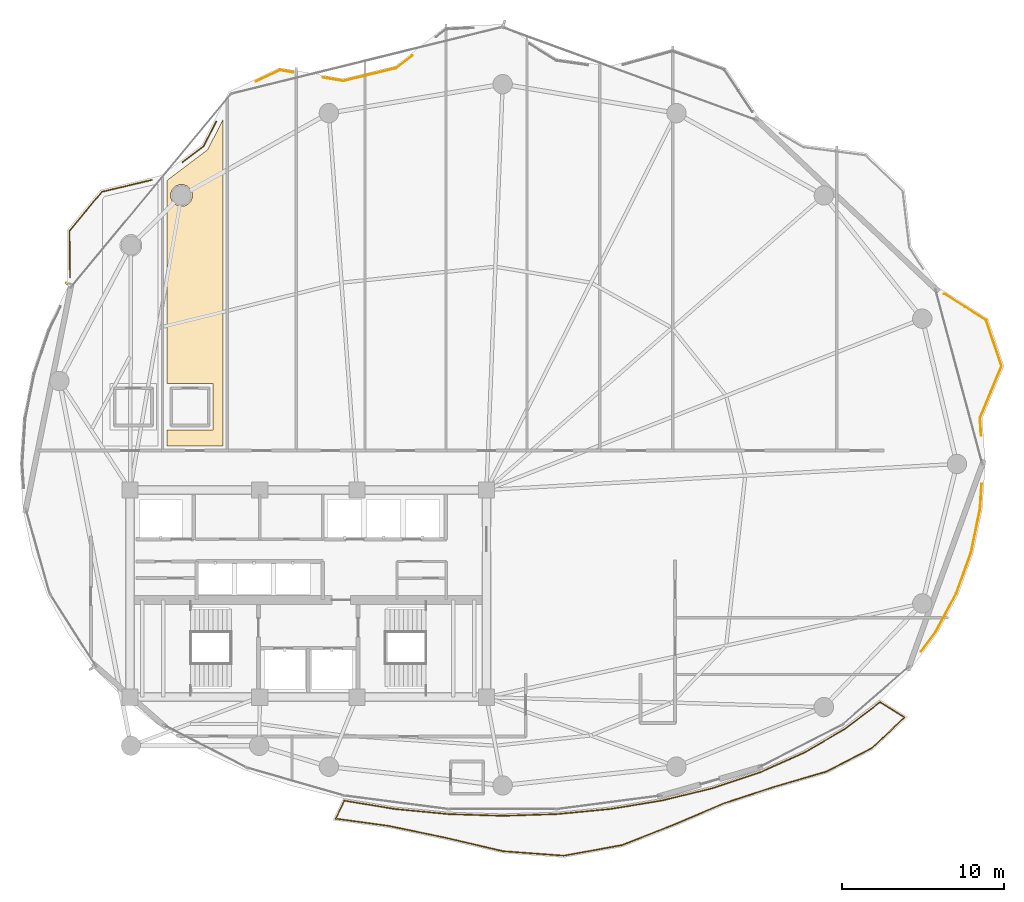
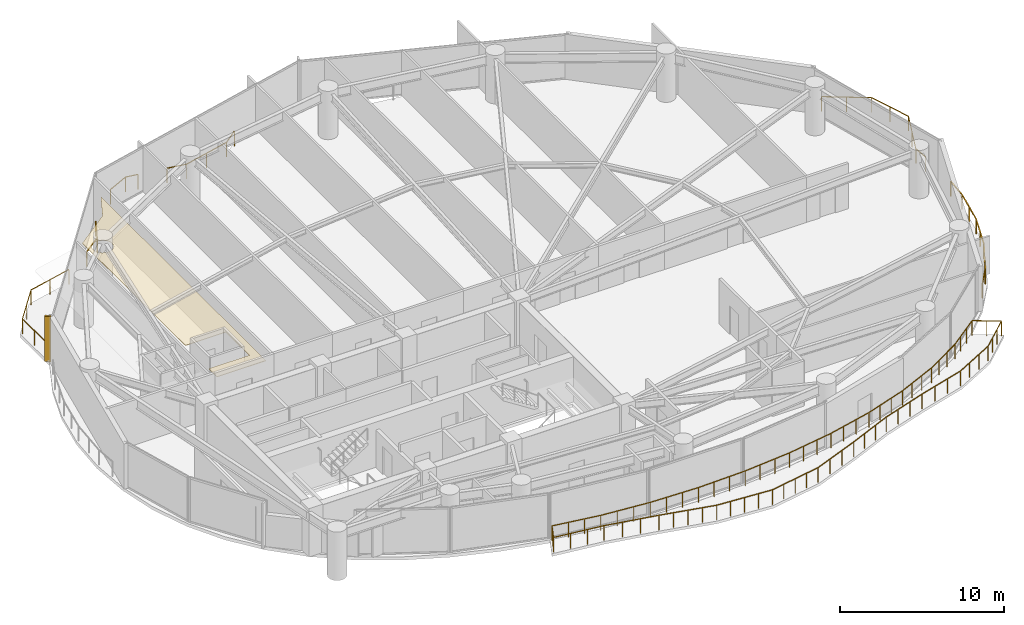
# One storey, part 27 of 28: 7 railings, 1 covering, 1 shading device.
"""IFC4 building model written with IfcOpenShell, lengths in metres."""

from ifc_helpers import new_model, si_unit, direction, frame, origin, origin_2d, place, context, subcontext, project, spatial, polyline, rectangle, outline, extrude, material, layer, layer_set, type_object, element, save


model = new_model("IFC4")

# Units and contexts
model_context = context("Model", 3, precision=1e-05, world=origin(), true_north=direction((0.0, 1.0)))
body_context = subcontext(model_context, "Body", "Model", "MODEL_VIEW")
ifc_project = project(units=[si_unit("LENGTHUNIT", "METRE"), si_unit("AREAUNIT", "SQUARE_METRE"), si_unit("VOLUMEUNIT", "CUBIC_METRE"), si_unit("PLANEANGLEUNIT", "RADIAN"), si_unit("MASSUNIT", "GRAM", prefix="KILO")], contexts=[model_context])

# Site, building, storey
site_placement = place(None, origin())
site = spatial("IfcSite", under=ifc_project, at=site_placement, CompositionType="ELEMENT")
building_placement = place(site_placement, origin())
building = spatial("IfcBuilding", under=site, at=building_placement, Name="Kazevale Care Tower and Concert Hall", CompositionType="ELEMENT")
storey_placement = place(building_placement, frame((0.0, 0.0, 109.800048828125)))
storey = spatial("IfcBuildingStorey", under=building, at=storey_placement, Name="L28", CompositionType="ELEMENT", Elevation=109.800048828125)

# Covering
ifc_material_1 = material(Name="Acoustic Plaster and Hinoki Wood", Category="wood")
ifc_layer = layer(ifc_material_1, 0.0400390625)
ifc_layer_set = layer_set([ifc_layer], Name="Acoustic Plaster and Hinoki Wood")
covering_type = type_object("IfcCoveringType", Name="Acoustic Perforated Wood-Gypsum Ceiling", PredefinedType="CEILING", material=ifc_layer_set)
covering_placement = place(storey_placement, frame((0.0, 0.0, 2.7099609375)))
element("IfcCovering", 1, at=covering_placement, inside=storey, type_object=covering_type, Name="clg:L28:2", PredefinedType="CEILING", context=body_context, shape_type="SweptSolid", body=[
    extrude(outline(polyline([(27.1298828125, 40.094970703125), (27.1298828125, 42.955078125), (24.280029296875, 42.955078125), (24.280029296875, 55.508056640625), (26.781005859375, 57.39892578125), (27.719970703125, 59.22607421875), (27.719970703125, 39.10498046875), (24.280029296875, 39.10498046875), (24.280029296875, 40.094970703125), (27.1298828125, 40.094970703125)]), holes=[polyline([(25.8369140625, 54.712890625), (25.735107421875, 54.9580078125), (25.548095703125, 55.14501953125), (25.302978515625, 55.2470703125), (25.037109375, 55.2470703125), (24.7919921875, 55.14501953125), (24.60498046875, 54.9580078125), (24.5029296875, 54.712890625), (24.5029296875, 54.447021484375), (24.60498046875, 54.201904296875), (24.7919921875, 54.014892578125), (25.037109375, 53.9130859375), (25.302978515625, 53.9130859375), (25.548095703125, 54.014892578125), (25.735107421875, 54.201904296875), (25.8369140625, 54.447021484375), (25.8369140625, 54.712890625)])]), origin(), (0.0, 0.0, 1.0), 0.0400390625),
])

# Railings
ifc_material_2 = material(Name="Anodised Bronze Aluminium and Laminated Glass", Category="aluminium")
railing_type = type_object("IfcRailingType", Name="Balcony and Terrace Balustrade 1120", PredefinedType="BALUSTRADE", material=ifc_material_2)
railing_1_placement = place(storey_placement, frame((18.284912109375, 49.514892578125, 0.0)))
element("IfcRailing", 2, at=railing_1_placement, inside=storey, type_object=railing_type, Name="rail:L28:perim:2", PredefinedType="BALUSTRADE", context=body_context, shape_type="SweptSolid", body=[
    extrude(rectangle(XDim=0.048095703125, YDim=0.048095703125, at=origin_2d()), frame((0.0, 0.0, 1.09619140625), z_axis=(-0.009663022595, 0.999953311907, 0.0), x_axis=(-0.999953311907, -0.009663022595, 0.0)), (0.0, 0.0, 1.0), 2.88037109375),
    extrude(rectangle(XDim=0.048095703125, YDim=0.048095703125, at=origin_2d()), frame((-0.02783203125, 2.880126953125, 1.09619140625), z_axis=(0.638670809668, 0.769480082184, 0.0), x_axis=(-0.769480082184, 0.638670809668, 0.0)), (0.0, 0.0, 1.0), 3.128173828125),
    extrude(rectangle(XDim=0.048095703125, YDim=0.048095703125, at=origin_2d()), frame((1.969970703125, 5.287109375, 1.09619140625), z_axis=(0.972887880692, 0.231277261318, 0.0), x_axis=(-0.231277261318, 0.972887880692, 0.0)), (0.0, 0.0, 1.0), 3.173095703125),
    extrude(rectangle(XDim=0.0419921875, YDim=0.0419921875, at=origin_2d()), origin(), (0.0, 0.0, 1.0), 1.072021484375),
    extrude(rectangle(XDim=0.0419921875, YDim=0.0419921875, at=origin_2d()), frame((-0.013916015625, 1.43994140625, 0.0)), (0.0, 0.0, 1.0), 1.072021484375),
    extrude(rectangle(XDim=0.0419921875, YDim=0.0419921875, at=origin_2d()), frame((-0.02783203125, 2.880126953125, 0.0)), (0.0, 0.0, 1.0), 1.072021484375),
    extrude(rectangle(XDim=0.0419921875, YDim=0.0419921875, at=origin_2d()), frame((0.97119140625, 4.08349609375, 0.0)), (0.0, 0.0, 1.0), 1.072021484375),
    extrude(rectangle(XDim=0.0419921875, YDim=0.0419921875, at=origin_2d()), frame((1.969970703125, 5.287109375, 0.0)), (0.0, 0.0, 1.0), 1.072021484375),
    extrude(rectangle(XDim=0.0419921875, YDim=0.0419921875, at=origin_2d()), frame((3.513671875, 5.654052734375, 0.0)), (0.0, 0.0, 1.0), 1.072021484375),
    extrude(rectangle(XDim=0.0419921875, YDim=0.0419921875, at=origin_2d()), frame((5.05712890625, 6.02099609375, 0.0)), (0.0, 0.0, 1.0), 1.072021484375),
])
railing_2_placement = place(storey_placement, frame((25.239013671875, 56.634033203125, 0.0)))
element("IfcRailing", 3, at=railing_2_placement, inside=storey, type_object=railing_type, Name="rail:L28:perim:3", PredefinedType="BALUSTRADE", context=body_context, shape_type="SweptSolid", body=[
    extrude(rectangle(XDim=0.048095703125, YDim=0.048095703125, at=origin_2d()), frame((0.0, 0.0, 1.09619140625), z_axis=(0.797677030582, 0.603084865406, 0.0), x_axis=(-0.603084865406, 0.797677030582, 0.0)), (0.0, 0.0, 1.0), 1.618408203125),
    extrude(rectangle(XDim=0.048095703125, YDim=0.048095703125, at=origin_2d()), frame((1.291015625, 0.97607421875, 1.09619140625), z_axis=(0.456653164706, 0.889644809553, 0.0), x_axis=(-0.889644809553, 0.456653164706, 0.0)), (0.0, 0.0, 1.0), 1.72314453125),
    extrude(rectangle(XDim=0.0419921875, YDim=0.0419921875, at=origin_2d()), origin(), (0.0, 0.0, 1.0), 1.072021484375),
    extrude(rectangle(XDim=0.0419921875, YDim=0.0419921875, at=origin_2d()), frame((1.291015625, 0.97607421875, 0.0)), (0.0, 0.0, 1.0), 1.072021484375),
    extrude(rectangle(XDim=0.0419921875, YDim=0.0419921875, at=origin_2d()), frame((2.077880859375, 2.509033203125, 0.0)), (0.0, 0.0, 1.0), 1.072021484375),
])
railing_3_placement = place(storey_placement, frame((29.77392578125, 61.62109375, 0.0)))
element("IfcRailing", 4, at=railing_3_placement, inside=storey, type_object=railing_type, Name="rail:L28:perim:4", PredefinedType="BALUSTRADE", context=body_context, shape_type="SweptSolid", body=[
    extrude(rectangle(XDim=0.048095703125, YDim=0.048095703125, at=origin_2d()), frame((0.0, 0.0, 1.09619140625), z_axis=(0.904089143641, 0.427343913436, 0.0), x_axis=(-0.427343913436, 0.904089143641, 0.0)), (0.0, 0.0, 1.0), 1.6259765625),
    extrude(rectangle(XDim=0.048095703125, YDim=0.048095703125, at=origin_2d()), frame((1.469970703125, 0.69482421875, 1.09619140625), z_axis=(0.985522864431, -0.169542571894, 0.0), x_axis=(0.169542571894, 0.985522864431, 0.0)), (0.0, 0.0, 1.0), 0.807861328125),
    extrude(rectangle(XDim=0.0419921875, YDim=0.0419921875, at=origin_2d()), origin(), (0.0, 0.0, 1.0), 1.072021484375),
    extrude(rectangle(XDim=0.0419921875, YDim=0.0419921875, at=origin_2d()), frame((1.469970703125, 0.69482421875, 0.0)), (0.0, 0.0, 1.0), 1.072021484375),
    extrude(rectangle(XDim=0.0419921875, YDim=0.0419921875, at=origin_2d()), frame((2.26611328125, 0.557861328125, 0.0)), (0.0, 0.0, 1.0), 1.072021484375),
])
railing_4_placement = place(storey_placement, frame((33.9130859375, 61.85791015625, 0.0)))
element("IfcRailing", 5, at=railing_4_placement, inside=storey, type_object=railing_type, Name="rail:L28:perim:5", PredefinedType="BALUSTRADE", context=body_context, shape_type="SweptSolid", body=[
    extrude(rectangle(XDim=0.048095703125, YDim=0.048095703125, at=origin_2d()), frame((0.0, 0.0, 1.09619140625), z_axis=(0.98554889076, -0.169391215599, 0.0), x_axis=(0.169391215599, 0.98554889076, 0.0)), (0.0, 0.0, 1.0), 1.268310546875),
    extrude(rectangle(XDim=0.048095703125, YDim=0.048095703125, at=origin_2d()), frame((1.25, -0.21484375, 1.09619140625), z_axis=(0.971597725557, 0.236638669056, 0.0), x_axis=(-0.236638669056, 0.971597725557, 0.0)), (0.0, 0.0, 1.0), 3.36328125),
    extrude(rectangle(XDim=0.048095703125, YDim=0.048095703125, at=origin_2d()), frame((4.517822265625, 0.5810546875, 1.09619140625), z_axis=(0.787242218243, 0.616643892224, 0.0), x_axis=(-0.616643892224, 0.787242218243, 0.0)), (0.0, 0.0, 1.0), 1.255126953125),
    extrude(rectangle(XDim=0.0419921875, YDim=0.0419921875, at=origin_2d()), origin(), (0.0, 0.0, 1.0), 1.072021484375),
    extrude(rectangle(XDim=0.0419921875, YDim=0.0419921875, at=origin_2d()), frame((1.25, -0.21484375, 0.0)), (0.0, 0.0, 1.0), 1.072021484375),
    extrude(rectangle(XDim=0.0419921875, YDim=0.0419921875, at=origin_2d()), frame((2.8837890625, 0.18310546875, 0.0)), (0.0, 0.0, 1.0), 1.072021484375),
    extrude(rectangle(XDim=0.0419921875, YDim=0.0419921875, at=origin_2d()), frame((4.517822265625, 0.5810546875, 0.0)), (0.0, 0.0, 1.0), 1.072021484375),
    extrude(rectangle(XDim=0.0419921875, YDim=0.0419921875, at=origin_2d()), frame((5.505859375, 1.35498046875, 0.0)), (0.0, 0.0, 1.0), 1.072021484375),
])
railing_5_placement = place(storey_placement, frame((74.576904296875, 36.76611328125, 0.0)))
element("IfcRailing", 6, at=railing_5_placement, inside=storey, type_object=railing_type, Name="rail:L28:perim:10", PredefinedType="BALUSTRADE", context=body_context, shape_type="SweptSolid", body=[
    extrude(rectangle(XDim=0.048095703125, YDim=0.048095703125, at=origin_2d()), frame((0.0, 0.0, 1.09619140625), z_axis=(-0.066164353261, -0.997808738365, 0.0), x_axis=(0.997808738365, -0.066164353261, 0.0)), (0.0, 0.0, 1.0), 1.553466796875),
    extrude(rectangle(XDim=0.048095703125, YDim=0.048095703125, at=origin_2d()), frame((-0.102783203125, -1.550048828125, 1.09619140625), z_axis=(-0.202611486218, -0.979259202485, 0.0), x_axis=(0.979259202485, -0.202611486218, 0.0)), (0.0, 0.0, 1.0), 2.744873046875),
    extrude(rectangle(XDim=0.048095703125, YDim=0.048095703125, at=origin_2d()), frame((-0.658935546875, -4.238037109375, 1.09619140625), z_axis=(-0.339653342944, -0.940550693279, 0.0), x_axis=(0.940550693279, -0.339653342944, 0.0)), (0.0, 0.0, 1.0), 2.70263671875),
    extrude(rectangle(XDim=0.048095703125, YDim=0.048095703125, at=origin_2d()), frame((-1.576904296875, -6.780029296875, 1.09619140625), z_axis=(-0.473735648305, -0.880667096879, 0.0), x_axis=(0.880667096879, -0.473735648305, 0.0)), (0.0, 0.0, 1.0), 2.6787109375),
    extrude(rectangle(XDim=0.048095703125, YDim=0.048095703125, at=origin_2d()), frame((-2.845947265625, -9.13916015625, 1.09619140625), z_axis=(-0.597990687273, -0.801503049236, 0.0), x_axis=(0.801503049236, -0.597990687273, 0.0)), (0.0, 0.0, 1.0), 1.498291015625),
    extrude(rectangle(XDim=0.0419921875, YDim=0.0419921875, at=origin_2d()), origin(), (0.0, 0.0, 1.0), 1.072021484375),
    extrude(rectangle(XDim=0.0419921875, YDim=0.0419921875, at=origin_2d()), frame((-0.102783203125, -1.550048828125, 0.0)), (0.0, 0.0, 1.0), 1.072021484375),
    extrude(rectangle(XDim=0.0419921875, YDim=0.0419921875, at=origin_2d()), frame((-0.380859375, -2.89404296875, 0.0)), (0.0, 0.0, 1.0), 1.072021484375),
    extrude(rectangle(XDim=0.0419921875, YDim=0.0419921875, at=origin_2d()), frame((-0.658935546875, -4.238037109375, 0.0)), (0.0, 0.0, 1.0), 1.072021484375),
    extrude(rectangle(XDim=0.0419921875, YDim=0.0419921875, at=origin_2d()), frame((-1.117919921875, -5.509033203125, 0.0)), (0.0, 0.0, 1.0), 1.072021484375),
    extrude(rectangle(XDim=0.0419921875, YDim=0.0419921875, at=origin_2d()), frame((-1.576904296875, -6.780029296875, 0.0)), (0.0, 0.0, 1.0), 1.072021484375),
    extrude(rectangle(XDim=0.0419921875, YDim=0.0419921875, at=origin_2d()), frame((-2.21142578125, -7.95947265625, 0.0)), (0.0, 0.0, 1.0), 1.072021484375),
    extrude(rectangle(XDim=0.0419921875, YDim=0.0419921875, at=origin_2d()), frame((-2.845947265625, -9.13916015625, 0.0)), (0.0, 0.0, 1.0), 1.072021484375),
    extrude(rectangle(XDim=0.0419921875, YDim=0.0419921875, at=origin_2d()), frame((-3.741943359375, -10.340087890625, 0.0)), (0.0, 0.0, 1.0), 1.072021484375),
])
railing_6_placement = place(storey_placement, frame((72.26904296875, 48.50390625, 0.0)))
element("IfcRailing", 7, at=railing_6_placement, inside=storey, type_object=railing_type, Name="rail:L28:perim:11", PredefinedType="BALUSTRADE", context=body_context, shape_type="SweptSolid", body=[
    extrude(rectangle(XDim=0.048095703125, YDim=0.048095703125, at=origin_2d()), frame((0.0, 0.0, 1.09619140625), z_axis=(0.845853460202, -0.533415338985, 0.0), x_axis=(0.533415338985, 0.845853460202, 0.0)), (0.0, 0.0, 1.0), 3.0537109375),
    extrude(rectangle(XDim=0.048095703125, YDim=0.048095703125, at=origin_2d()), frame((2.5830078125, -1.62890625, 1.09619140625), z_axis=(0.319318641442, -0.94764740554, 0.0), x_axis=(0.94764740554, 0.319318641442, 0.0)), (0.0, 0.0, 1.0), 2.984130859375),
    extrude(rectangle(XDim=0.048095703125, YDim=0.048095703125, at=origin_2d()), frame((3.535888671875, -4.456787109375, 1.09619140625), z_axis=(-0.384555415187, -0.923101908052, 0.0), x_axis=(0.923101908052, -0.384555415187, 0.0)), (0.0, 0.0, 1.0), 3.468994140625),
    extrude(rectangle(XDim=0.048095703125, YDim=0.048095703125, at=origin_2d()), frame((2.201904296875, -7.658935546875, 1.09619140625), z_axis=(0.06569131841, -0.997839992527, 0.0), x_axis=(0.997839992527, 0.06569131841, 0.0)), (0.0, 0.0, 1.0), 1.096435546875),
    extrude(rectangle(XDim=0.0419921875, YDim=0.0419921875, at=origin_2d()), origin(), (0.0, 0.0, 1.0), 1.072021484375),
    extrude(rectangle(XDim=0.0419921875, YDim=0.0419921875, at=origin_2d()), frame((1.29150390625, -0.814453125, 0.0)), (0.0, 0.0, 1.0), 1.072021484375),
    extrude(rectangle(XDim=0.0419921875, YDim=0.0419921875, at=origin_2d()), frame((2.5830078125, -1.62890625, 0.0)), (0.0, 0.0, 1.0), 1.072021484375),
    extrude(rectangle(XDim=0.0419921875, YDim=0.0419921875, at=origin_2d()), frame((3.0595703125, -3.04296875, 0.0)), (0.0, 0.0, 1.0), 1.072021484375),
    extrude(rectangle(XDim=0.0419921875, YDim=0.0419921875, at=origin_2d()), frame((3.535888671875, -4.456787109375, 0.0)), (0.0, 0.0, 1.0), 1.072021484375),
    extrude(rectangle(XDim=0.0419921875, YDim=0.0419921875, at=origin_2d()), frame((2.868896484375, -6.057861328125, 0.0)), (0.0, 0.0, 1.0), 1.072021484375),
    extrude(rectangle(XDim=0.0419921875, YDim=0.0419921875, at=origin_2d()), frame((2.201904296875, -7.658935546875, 0.0)), (0.0, 0.0, 1.0), 1.072021484375),
    extrude(rectangle(XDim=0.0419921875, YDim=0.0419921875, at=origin_2d()), frame((2.27392578125, -8.7529296875, 0.0)), (0.0, 0.0, 1.0), 1.072021484375),
])
railing_7_placement = place(storey_placement, frame((35.22509765625, 17.2099609375, 0.0)))
element("IfcRailing", 8, at=railing_7_placement, inside=storey, type_object=railing_type, Name="rail:L28:balcony", PredefinedType="BALUSTRADE", context=body_context, shape_type="SweptSolid", body=[
    extrude(rectangle(XDim=0.048095703125, YDim=0.048095703125, at=origin_2d()), frame((0.0, 0.0, 1.09619140625), z_axis=(0.986720826515, -0.162425399869, 0.0), x_axis=(0.162425399869, 0.986720826515, 0.0)), (0.0, 0.0, 1.0), 3.169921875),
    extrude(rectangle(XDim=0.048095703125, YDim=0.048095703125, at=origin_2d()), frame((3.1279296875, -0.514892578125, 1.09619140625), z_axis=(0.995477928413, -0.09499312629, 0.0), x_axis=(0.09499312629, 0.995477928413, 0.0)), (0.0, 0.0, 1.0), 3.31787109375),
    extrude(rectangle(XDim=0.048095703125, YDim=0.048095703125, at=origin_2d()), frame((6.430908203125, -0.830078125, 1.09619140625), z_axis=(0.999507580629, -0.031378276971, 0.0), x_axis=(0.031378276971, 0.999507580629, 0.0)), (0.0, 0.0, 1.0), 3.345703125),
    extrude(rectangle(XDim=0.048095703125, YDim=0.048095703125, at=origin_2d()), frame((9.77490234375, -0.93505859375, 1.09619140625), z_axis=(0.999507580629, 0.031378276971, 0.0), x_axis=(-0.031378276971, 0.999507580629, 0.0)), (0.0, 0.0, 1.0), 3.345703125),
    extrude(rectangle(XDim=0.048095703125, YDim=0.048095703125, at=origin_2d()), frame((13.118896484375, -0.830078125, 1.09619140625), z_axis=(0.995477928413, 0.09499312629, 0.0), x_axis=(-0.09499312629, 0.995477928413, 0.0)), (0.0, 0.0, 1.0), 3.31787109375),
    extrude(rectangle(XDim=0.048095703125, YDim=0.048095703125, at=origin_2d()), frame((16.421875, -0.514892578125, 1.09619140625), z_axis=(0.986673526711, 0.162712481659, 0.0), x_axis=(-0.162712481659, 0.986673526711, 0.0)), (0.0, 0.0, 1.0), 3.263427734375),
    extrude(rectangle(XDim=0.048095703125, YDim=0.048095703125, at=origin_2d()), frame((19.641845703125, 0.01611328125, 1.09619140625), z_axis=(0.971769261323, 0.235933259095, 0.0), x_axis=(-0.235933259095, 0.971769261323, 0.0)), (0.0, 0.0, 1.0), 3.187255859375),
    extrude(rectangle(XDim=0.048095703125, YDim=0.048095703125, at=origin_2d()), frame((22.739013671875, 0.76806640625, 1.09619140625), z_axis=(0.948264523365, 0.317481328155, 0.0), x_axis=(-0.317481328155, 0.948264523365, 0.0)), (0.0, 0.0, 1.0), 3.095947265625),
    extrude(rectangle(XDim=0.048095703125, YDim=0.048095703125, at=origin_2d()), frame((25.6748046875, 1.7509765625, 1.09619140625), z_axis=(0.913377633239, 0.407113373766, 0.0), x_axis=(-0.407113373766, 0.913377633239, 0.0)), (0.0, 0.0, 1.0), 2.99658203125),
    extrude(rectangle(XDim=0.048095703125, YDim=0.048095703125, at=origin_2d()), frame((28.411865234375, 2.970947265625, 1.09619140625), z_axis=(0.863507127078, 0.504336635082, 0.0), x_axis=(-0.504336635082, 0.863507127078, 0.0)), (0.0, 0.0, 1.0), 2.901123046875),
    extrude(rectangle(XDim=0.048095703125, YDim=0.048095703125, at=origin_2d()), frame((30.9169921875, 4.43408203125, 1.09619140625), z_axis=(0.795030778338, 0.606569090455, 0.0), x_axis=(-0.606569090455, 0.795030778338, 0.0)), (0.0, 0.0, 1.0), 2.726806640625),
    extrude(rectangle(XDim=0.048095703125, YDim=0.048095703125, at=origin_2d()), frame((33.0849609375, 6.088134765625, 1.09619140625), z_axis=(0.848160049179, -0.529740059819, 0.0), x_axis=(0.529740059819, 0.848160049179, 0.0)), (0.0, 0.0, 1.0), 1.7802734375),
    extrude(rectangle(XDim=0.048095703125, YDim=0.048095703125, at=origin_2d()), frame((34.594970703125, 5.14501953125, 1.09619140625), z_axis=(-0.729993328621, -0.683454270723, 0.0), x_axis=(0.683454270723, -0.729993328621, 0.0)), (0.0, 0.0, 1.0), 2.769775390625),
    extrude(rectangle(XDim=0.048095703125, YDim=0.048095703125, at=origin_2d()), frame((32.572998046875, 3.251953125, 1.09619140625), z_axis=(-0.887558780526, -0.460694487825, 0.0), x_axis=(0.460694487825, -0.887558780526, 0.0)), (0.0, 0.0, 1.0), 3.153564453125),
    extrude(rectangle(XDim=0.048095703125, YDim=0.048095703125, at=origin_2d()), frame((29.77392578125, 1.799072265625, 1.09619140625), z_axis=(-0.959981341423, -0.280063964337, 0.0), x_axis=(0.280063964337, -0.959981341423, 0.0)), (0.0, 0.0, 1.0), 3.37109375),
    extrude(rectangle(XDim=0.048095703125, YDim=0.048095703125, at=origin_2d()), frame((26.537841796875, 0.85498046875, 1.09619140625), z_axis=(-0.949992943031, -0.31227136947, 0.0), x_axis=(0.31227136947, -0.949992943031, 0.0)), (0.0, 0.0, 1.0), 3.279052734375),
    extrude(rectangle(XDim=0.048095703125, YDim=0.048095703125, at=origin_2d()), frame((23.4228515625, -0.1689453125, 1.09619140625), z_axis=(-0.919622813198, -0.392802598572, 0.0), x_axis=(0.392802598572, -0.919622813198, 0.0)), (0.0, 0.0, 1.0), 3.299072265625),
    extrude(rectangle(XDim=0.048095703125, YDim=0.048095703125, at=origin_2d()), frame((20.388916015625, -1.46484375, 1.09619140625), z_axis=(-0.930486528977, -0.366326110716, 0.0), x_axis=(0.366326110716, -0.930486528977, 0.0)), (0.0, 0.0, 1.0), 3.486328125),
    extrude(rectangle(XDim=0.048095703125, YDim=0.048095703125, at=origin_2d()), frame((17.14501953125, -2.741943359375, 1.09619140625), z_axis=(-0.98397532177, -0.178304700294, 0.0), x_axis=(0.178304700294, -0.98397532177, 0.0)), (0.0, 0.0, 1.0), 3.66259765625),
    extrude(rectangle(XDim=0.048095703125, YDim=0.048095703125, at=origin_2d()), frame((13.541015625, -3.39501953125, 1.09619140625), z_axis=(-0.997259062658, 0.073988931238, 0.0), x_axis=(-0.073988931238, -0.997259062658, 0.0)), (0.0, 0.0, 1.0), 3.75830078125),
    extrude(rectangle(XDim=0.048095703125, YDim=0.048095703125, at=origin_2d()), frame((9.79296875, -3.116943359375, 1.09619140625), z_axis=(-0.973710675787, 0.227788322482, 0.0), x_axis=(-0.227788322482, -0.973710675787, 0.0)), (0.0, 0.0, 1.0), 3.68798828125),
    extrude(rectangle(XDim=0.048095703125, YDim=0.048095703125, at=origin_2d()), frame((6.201904296875, -2.27685546875, 1.09619140625), z_axis=(-0.979039325831, 0.203671300081, 0.0), x_axis=(-0.203671300081, -0.979039325831, 0.0)), (0.0, 0.0, 1.0), 3.5146484375),
    extrude(rectangle(XDim=0.048095703125, YDim=0.048095703125, at=origin_2d()), frame((2.760986328125, -1.56103515625, 1.09619140625), z_axis=(-0.990727885138, 0.135861170357, 0.0), x_axis=(-0.135861170357, -0.990727885138, 0.0)), (0.0, 0.0, 1.0), 3.32080078125),
    extrude(rectangle(XDim=0.048095703125, YDim=0.048095703125, at=origin_2d()), frame((-0.529052734375, -1.10986328125, 1.09619140625), z_axis=(0.430295812217, 0.90268793832, 0.0), x_axis=(-0.90268793832, 0.430295812217, 0.0)), (0.0, 0.0, 1.0), 1.2294921875),
    extrude(rectangle(XDim=0.0419921875, YDim=0.0419921875, at=origin_2d()), origin(), (0.0, 0.0, 1.0), 1.072021484375),
    extrude(rectangle(XDim=0.0419921875, YDim=0.0419921875, at=origin_2d()), frame((1.042724609375, -0.171630859375, 0.0)), (0.0, 0.0, 1.0), 1.072021484375),
    extrude(rectangle(XDim=0.0419921875, YDim=0.0419921875, at=origin_2d()), frame((2.085205078125, -0.34326171875, 0.0)), (0.0, 0.0, 1.0), 1.072021484375),
    extrude(rectangle(XDim=0.0419921875, YDim=0.0419921875, at=origin_2d()), frame((3.1279296875, -0.514892578125, 0.0)), (0.0, 0.0, 1.0), 1.072021484375),
    extrude(rectangle(XDim=0.0419921875, YDim=0.0419921875, at=origin_2d()), frame((4.22900390625, -0.619873046875, 0.0)), (0.0, 0.0, 1.0), 1.072021484375),
    extrude(rectangle(XDim=0.0419921875, YDim=0.0419921875, at=origin_2d()), frame((5.329833984375, -0.72509765625, 0.0)), (0.0, 0.0, 1.0), 1.072021484375),
    extrude(rectangle(XDim=0.0419921875, YDim=0.0419921875, at=origin_2d()), frame((6.430908203125, -0.830078125, 0.0)), (0.0, 0.0, 1.0), 1.072021484375),
    extrude(rectangle(XDim=0.0419921875, YDim=0.0419921875, at=origin_2d()), frame((7.545654296875, -0.864990234375, 0.0)), (0.0, 0.0, 1.0), 1.072021484375),
    extrude(rectangle(XDim=0.0419921875, YDim=0.0419921875, at=origin_2d()), frame((8.66015625, -0.900146484375, 0.0)), (0.0, 0.0, 1.0), 1.072021484375),
    extrude(rectangle(XDim=0.0419921875, YDim=0.0419921875, at=origin_2d()), frame((9.77490234375, -0.93505859375, 0.0)), (0.0, 0.0, 1.0), 1.072021484375),
    extrude(rectangle(XDim=0.0419921875, YDim=0.0419921875, at=origin_2d()), frame((10.8896484375, -0.900146484375, 0.0)), (0.0, 0.0, 1.0), 1.072021484375),
    extrude(rectangle(XDim=0.0419921875, YDim=0.0419921875, at=origin_2d()), frame((12.004150390625, -0.864990234375, 0.0)), (0.0, 0.0, 1.0), 1.072021484375),
    extrude(rectangle(XDim=0.0419921875, YDim=0.0419921875, at=origin_2d()), frame((13.118896484375, -0.830078125, 0.0)), (0.0, 0.0, 1.0), 1.072021484375),
    extrude(rectangle(XDim=0.0419921875, YDim=0.0419921875, at=origin_2d()), frame((14.219970703125, -0.72509765625, 0.0)), (0.0, 0.0, 1.0), 1.072021484375),
    extrude(rectangle(XDim=0.0419921875, YDim=0.0419921875, at=origin_2d()), frame((15.32080078125, -0.619873046875, 0.0)), (0.0, 0.0, 1.0), 1.072021484375),
    extrude(rectangle(XDim=0.0419921875, YDim=0.0419921875, at=origin_2d()), frame((16.421875, -0.514892578125, 0.0)), (0.0, 0.0, 1.0), 1.072021484375),
    extrude(rectangle(XDim=0.0419921875, YDim=0.0419921875, at=origin_2d()), frame((17.4951171875, -0.337890625, 0.0)), (0.0, 0.0, 1.0), 1.072021484375),
    extrude(rectangle(XDim=0.0419921875, YDim=0.0419921875, at=origin_2d()), frame((18.568603515625, -0.160888671875, 0.0)), (0.0, 0.0, 1.0), 1.072021484375),
    extrude(rectangle(XDim=0.0419921875, YDim=0.0419921875, at=origin_2d()), frame((19.641845703125, 0.01611328125, 0.0)), (0.0, 0.0, 1.0), 1.072021484375),
    extrude(rectangle(XDim=0.0419921875, YDim=0.0419921875, at=origin_2d()), frame((20.67431640625, 0.266845703125, 0.0)), (0.0, 0.0, 1.0), 1.072021484375),
    extrude(rectangle(XDim=0.0419921875, YDim=0.0419921875, at=origin_2d()), frame((21.70654296875, 0.517333984375, 0.0)), (0.0, 0.0, 1.0), 1.072021484375),
    extrude(rectangle(XDim=0.0419921875, YDim=0.0419921875, at=origin_2d()), frame((22.739013671875, 0.76806640625, 0.0)), (0.0, 0.0, 1.0), 1.072021484375),
    extrude(rectangle(XDim=0.0419921875, YDim=0.0419921875, at=origin_2d()), frame((23.717529296875, 1.095703125, 0.0)), (0.0, 0.0, 1.0), 1.072021484375),
    extrude(rectangle(XDim=0.0419921875, YDim=0.0419921875, at=origin_2d()), frame((24.6962890625, 1.42333984375, 0.0)), (0.0, 0.0, 1.0), 1.072021484375),
    extrude(rectangle(XDim=0.0419921875, YDim=0.0419921875, at=origin_2d()), frame((25.6748046875, 1.7509765625, 0.0)), (0.0, 0.0, 1.0), 1.072021484375),
    extrude(rectangle(XDim=0.0419921875, YDim=0.0419921875, at=origin_2d()), frame((26.587158203125, 2.15771484375, 0.0)), (0.0, 0.0, 1.0), 1.072021484375),
    extrude(rectangle(XDim=0.0419921875, YDim=0.0419921875, at=origin_2d()), frame((27.49951171875, 2.564208984375, 0.0)), (0.0, 0.0, 1.0), 1.072021484375),
    extrude(rectangle(XDim=0.0419921875, YDim=0.0419921875, at=origin_2d()), frame((28.411865234375, 2.970947265625, 0.0)), (0.0, 0.0, 1.0), 1.072021484375),
    extrude(rectangle(XDim=0.0419921875, YDim=0.0419921875, at=origin_2d()), frame((29.246826171875, 3.458740234375, 0.0)), (0.0, 0.0, 1.0), 1.072021484375),
    extrude(rectangle(XDim=0.0419921875, YDim=0.0419921875, at=origin_2d()), frame((30.08203125, 3.9462890625, 0.0)), (0.0, 0.0, 1.0), 1.072021484375),
    extrude(rectangle(XDim=0.0419921875, YDim=0.0419921875, at=origin_2d()), frame((30.9169921875, 4.43408203125, 0.0)), (0.0, 0.0, 1.0), 1.072021484375),
    extrude(rectangle(XDim=0.0419921875, YDim=0.0419921875, at=origin_2d()), frame((31.6396484375, 4.9853515625, 0.0)), (0.0, 0.0, 1.0), 1.072021484375),
    extrude(rectangle(XDim=0.0419921875, YDim=0.0419921875, at=origin_2d()), frame((32.3623046875, 5.536865234375, 0.0)), (0.0, 0.0, 1.0), 1.072021484375),
    extrude(rectangle(XDim=0.0419921875, YDim=0.0419921875, at=origin_2d()), frame((33.0849609375, 6.088134765625, 0.0)), (0.0, 0.0, 1.0), 1.072021484375),
    extrude(rectangle(XDim=0.0419921875, YDim=0.0419921875, at=origin_2d()), frame((33.83984375, 5.61669921875, 0.0)), (0.0, 0.0, 1.0), 1.072021484375),
    extrude(rectangle(XDim=0.0419921875, YDim=0.0419921875, at=origin_2d()), frame((34.594970703125, 5.14501953125, 0.0)), (0.0, 0.0, 1.0), 1.072021484375),
    extrude(rectangle(XDim=0.0419921875, YDim=0.0419921875, at=origin_2d()), frame((33.9208984375, 4.513916015625, 0.0)), (0.0, 0.0, 1.0), 1.072021484375),
    extrude(rectangle(XDim=0.0419921875, YDim=0.0419921875, at=origin_2d()), frame((33.2470703125, 3.883056640625, 0.0)), (0.0, 0.0, 1.0), 1.072021484375),
    extrude(rectangle(XDim=0.0419921875, YDim=0.0419921875, at=origin_2d()), frame((32.572998046875, 3.251953125, 0.0)), (0.0, 0.0, 1.0), 1.072021484375),
    extrude(rectangle(XDim=0.0419921875, YDim=0.0419921875, at=origin_2d()), frame((31.639892578125, 2.767578125, 0.0)), (0.0, 0.0, 1.0), 1.072021484375),
    extrude(rectangle(XDim=0.0419921875, YDim=0.0419921875, at=origin_2d()), frame((30.70703125, 2.283447265625, 0.0)), (0.0, 0.0, 1.0), 1.072021484375),
    extrude(rectangle(XDim=0.0419921875, YDim=0.0419921875, at=origin_2d()), frame((29.77392578125, 1.799072265625, 0.0)), (0.0, 0.0, 1.0), 1.072021484375),
    extrude(rectangle(XDim=0.0419921875, YDim=0.0419921875, at=origin_2d()), frame((28.6953125, 1.484375, 0.0)), (0.0, 0.0, 1.0), 1.072021484375),
    extrude(rectangle(XDim=0.0419921875, YDim=0.0419921875, at=origin_2d()), frame((27.616455078125, 1.169677734375, 0.0)), (0.0, 0.0, 1.0), 1.072021484375),
    extrude(rectangle(XDim=0.0419921875, YDim=0.0419921875, at=origin_2d()), frame((26.537841796875, 0.85498046875, 0.0)), (0.0, 0.0, 1.0), 1.072021484375),
    extrude(rectangle(XDim=0.0419921875, YDim=0.0419921875, at=origin_2d()), frame((25.49951171875, 0.513671875, 0.0)), (0.0, 0.0, 1.0), 1.072021484375),
    extrude(rectangle(XDim=0.0419921875, YDim=0.0419921875, at=origin_2d()), frame((24.461181640625, 0.17236328125, 0.0)), (0.0, 0.0, 1.0), 1.072021484375),
    extrude(rectangle(XDim=0.0419921875, YDim=0.0419921875, at=origin_2d()), frame((23.4228515625, -0.1689453125, 0.0)), (0.0, 0.0, 1.0), 1.072021484375),
    extrude(rectangle(XDim=0.0419921875, YDim=0.0419921875, at=origin_2d()), frame((22.41162109375, -0.600830078125, 0.0)), (0.0, 0.0, 1.0), 1.072021484375),
    extrude(rectangle(XDim=0.0419921875, YDim=0.0419921875, at=origin_2d()), frame((21.400146484375, -1.032958984375, 0.0)), (0.0, 0.0, 1.0), 1.072021484375),
    extrude(rectangle(XDim=0.0419921875, YDim=0.0419921875, at=origin_2d()), frame((20.388916015625, -1.46484375, 0.0)), (0.0, 0.0, 1.0), 1.072021484375),
    extrude(rectangle(XDim=0.0419921875, YDim=0.0419921875, at=origin_2d()), frame((19.3076171875, -1.890625, 0.0)), (0.0, 0.0, 1.0), 1.072021484375),
    extrude(rectangle(XDim=0.0419921875, YDim=0.0419921875, at=origin_2d()), frame((18.226318359375, -2.316162109375, 0.0)), (0.0, 0.0, 1.0), 1.072021484375),
    extrude(rectangle(XDim=0.0419921875, YDim=0.0419921875, at=origin_2d()), frame((17.14501953125, -2.741943359375, 0.0)), (0.0, 0.0, 1.0), 1.072021484375),
    extrude(rectangle(XDim=0.0419921875, YDim=0.0419921875, at=origin_2d()), frame((16.244140625, -2.9052734375, 0.0)), (0.0, 0.0, 1.0), 1.072021484375),
    extrude(rectangle(XDim=0.0419921875, YDim=0.0419921875, at=origin_2d()), frame((15.343017578125, -3.068359375, 0.0)), (0.0, 0.0, 1.0), 1.072021484375),
    extrude(rectangle(XDim=0.0419921875, YDim=0.0419921875, at=origin_2d()), frame((14.44189453125, -3.231689453125, 0.0)), (0.0, 0.0, 1.0), 1.072021484375),
    extrude(rectangle(XDim=0.0419921875, YDim=0.0419921875, at=origin_2d()), frame((13.541015625, -3.39501953125, 0.0)), (0.0, 0.0, 1.0), 1.072021484375),
    extrude(rectangle(XDim=0.0419921875, YDim=0.0419921875, at=origin_2d()), frame((12.60400390625, -3.325439453125, 0.0)), (0.0, 0.0, 1.0), 1.072021484375),
    extrude(rectangle(XDim=0.0419921875, YDim=0.0419921875, at=origin_2d()), frame((11.6669921875, -3.255859375, 0.0)), (0.0, 0.0, 1.0), 1.072021484375),
    extrude(rectangle(XDim=0.0419921875, YDim=0.0419921875, at=origin_2d()), frame((10.72998046875, -3.1865234375, 0.0)), (0.0, 0.0, 1.0), 1.072021484375),
    extrude(rectangle(XDim=0.0419921875, YDim=0.0419921875, at=origin_2d()), frame((9.79296875, -3.116943359375, 0.0)), (0.0, 0.0, 1.0), 1.072021484375),
    extrude(rectangle(XDim=0.0419921875, YDim=0.0419921875, at=origin_2d()), frame((8.895263671875, -2.906982421875, 0.0)), (0.0, 0.0, 1.0), 1.072021484375),
    extrude(rectangle(XDim=0.0419921875, YDim=0.0419921875, at=origin_2d()), frame((7.99755859375, -2.69677734375, 0.0)), (0.0, 0.0, 1.0), 1.072021484375),
    extrude(rectangle(XDim=0.0419921875, YDim=0.0419921875, at=origin_2d()), frame((7.099609375, -2.48681640625, 0.0)), (0.0, 0.0, 1.0), 1.072021484375),
    extrude(rectangle(XDim=0.0419921875, YDim=0.0419921875, at=origin_2d()), frame((6.201904296875, -2.27685546875, 0.0)), (0.0, 0.0, 1.0), 1.072021484375),
    extrude(rectangle(XDim=0.0419921875, YDim=0.0419921875, at=origin_2d()), frame((5.054931640625, -2.038330078125, 0.0)), (0.0, 0.0, 1.0), 1.072021484375),
    extrude(rectangle(XDim=0.0419921875, YDim=0.0419921875, at=origin_2d()), frame((3.907958984375, -1.799560546875, 0.0)), (0.0, 0.0, 1.0), 1.072021484375),
    extrude(rectangle(XDim=0.0419921875, YDim=0.0419921875, at=origin_2d()), frame((2.760986328125, -1.56103515625, 0.0)), (0.0, 0.0, 1.0), 1.072021484375),
    extrude(rectangle(XDim=0.0419921875, YDim=0.0419921875, at=origin_2d()), frame((1.664306640625, -1.41064453125, 0.0)), (0.0, 0.0, 1.0), 1.072021484375),
    extrude(rectangle(XDim=0.0419921875, YDim=0.0419921875, at=origin_2d()), frame((0.567626953125, -1.26025390625, 0.0)), (0.0, 0.0, 1.0), 1.072021484375),
    extrude(rectangle(XDim=0.0419921875, YDim=0.0419921875, at=origin_2d()), frame((-0.529052734375, -1.10986328125, 0.0)), (0.0, 0.0, 1.0), 1.072021484375),
    extrude(rectangle(XDim=0.0419921875, YDim=0.0419921875, at=origin_2d()), frame((-0.2646484375, -0.554931640625, 0.0)), (0.0, 0.0, 1.0), 1.072021484375),
])

# Shading device
ifc_material_3 = material(Name="Honed Ochre Limestone", Category="masonry")
shading_device_type = type_object("IfcShadingDeviceType", Name="Vertical Honed Limestone Fin FIN-01", PredefinedType="USERDEFINED", material=ifc_material_3)
shading_device_placement = place(storey_placement, frame((18.14501953125, 49.099853515625, 0.0), z_axis=(0.0, 0.0, 1.0), x_axis=(-0.770068049148, 0.637961754089, 0.0)))
element("IfcShadingDevice", 9, at=shading_device_placement, inside=storey, type_object=shading_device_type, Name="cw:L28:f14:fin", ObjectType="FIN", PredefinedType="USERDEFINED", context=body_context, shape_type="SweptSolid", body=[
    extrude(rectangle(XDim=0.3798828125, YDim=0.1201171875, at=origin_2d()), origin(), (0.0, 0.0, 1.0), 3.360107421875),
])

save(model, "model.ifc")
